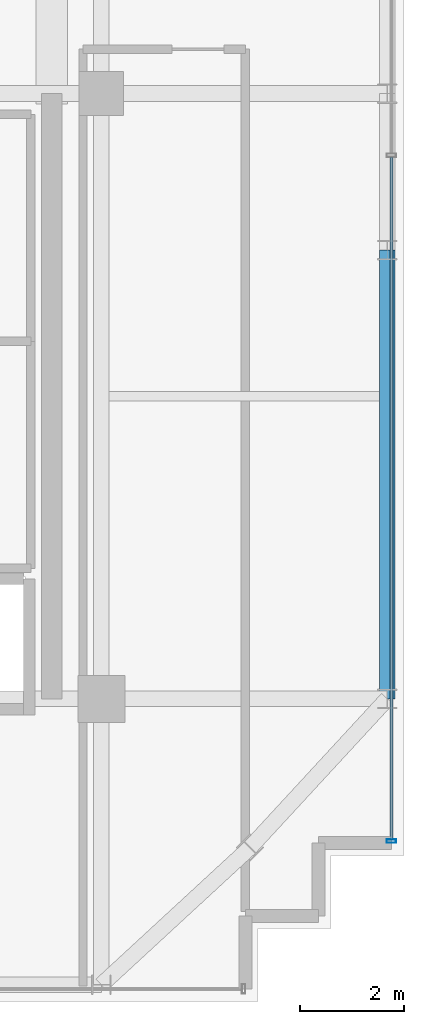
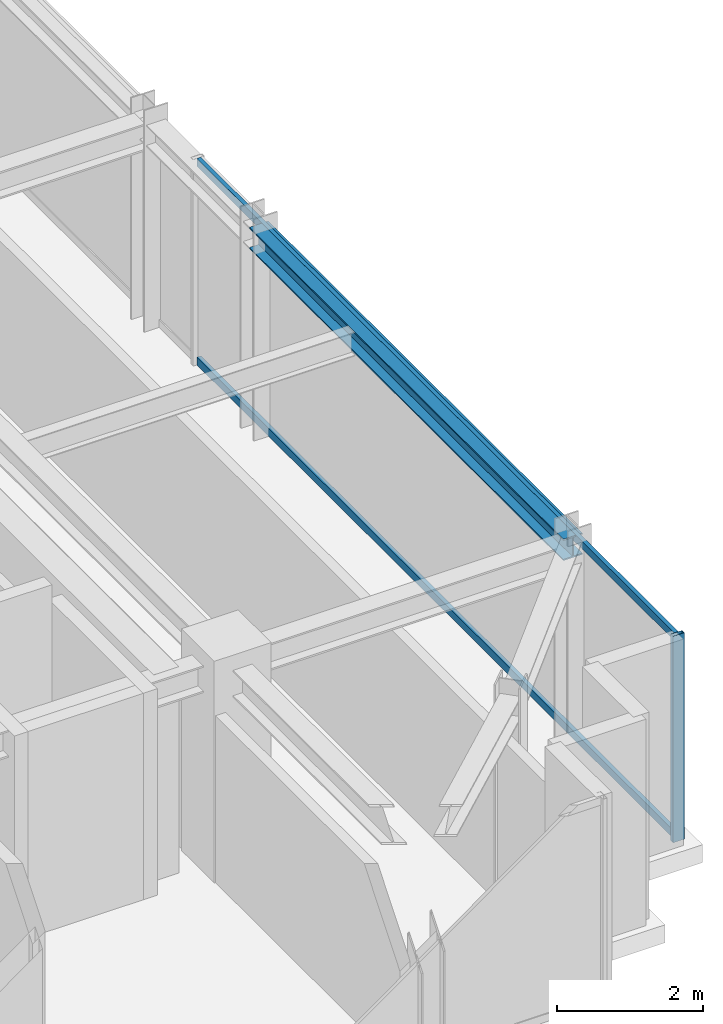
# One storey, part 14 of 31: 3 members, 1 beam, 1 element without a shape of its own.
"""IFC4 building model written with IfcOpenShell, lengths in metres."""

from ifc_helpers import new_model, si_unit, direction, frame, origin, origin_2d, place, context, subcontext, project, spatial, hollow_rectangle, i_section, extrude, source, transform, mapped, material, material_profile, profile_set, type_object, element, aggregate, save


model = new_model("IFC4")

# Units and contexts
model_context = context("Model", 3, precision=1e-05, world=origin(), true_north=direction((0.0, 1.0)))
body_context = subcontext(model_context, "Body", "Model", "MODEL_VIEW")
ifc_project = project(units=[si_unit("LENGTHUNIT", "METRE"), si_unit("AREAUNIT", "SQUARE_METRE"), si_unit("VOLUMEUNIT", "CUBIC_METRE"), si_unit("PLANEANGLEUNIT", "RADIAN"), si_unit("MASSUNIT", "GRAM", prefix="KILO")], contexts=[model_context])

# Site, building, storey
site_placement = place(None, origin())
site = spatial("IfcSite", under=ifc_project, at=site_placement, CompositionType="ELEMENT")
building_placement = place(site_placement, origin())
building = spatial("IfcBuilding", under=site, at=building_placement, Name="Nahalor Promenade Grand Hotel", CompositionType="ELEMENT")
storey_placement = place(building_placement, frame((0.0, 0.0, 277.550048828125)))
storey = spatial("IfcBuildingStorey", under=building, at=storey_placement, Name="L71", CompositionType="ELEMENT", Elevation=277.550048828125)

# Beam
ifc_material_1 = material(Name="Steel S355JR", Category="steel")
ifc_material_profile_1 = material_profile(ifc_material_1, i_section(OverallWidth=0.3, OverallDepth=0.36, WebThickness=0.0125, FlangeThickness=0.0225, at=origin_2d()), Name="HEB 360")
ifc_profile_set_1 = profile_set([ifc_material_profile_1], Name="Steel S355JR")
beam_type = type_object("IfcBeamType", Name="Beam-Spandrel-HEB360", PredefinedType="SPANDREL", material=ifc_profile_set_1)
shared_shape_1 = source(origin(), body_context, "Body", "SweptSolid", [
    extrude(i_section(OverallWidth=0.3, OverallDepth=0.36, WebThickness=0.0125, FlangeThickness=0.0225, at=origin_2d()), origin(), (0.0, 0.0, 1.0), 8.60009765625),
])
beam_placement = place(storey_placement, frame((22.47998046875, -17.0, 3.27001953125), z_axis=(0.0, 1.0, 0.0), x_axis=(-1.0, 0.0, 0.0)))
element("IfcBeam", 1, at=beam_placement, inside=storey, type_object=beam_type, Name="BM-L71-SP-E-0", PredefinedType="SPANDREL", context=body_context, shape_type="MappedRepresentation", body=[
    mapped(shared_shape_1, transform((0.0, 0.0, 0.0), scale=1.0)),
])

# Curtain wall, members
ifc_material_2 = material(Name="Anodised Bronze Aluminium EN AW-6063 T6", Category="aluminium")
curtain_wall_type = type_object("IfcCurtainWallType", Name="CW2 Typical Hotel Flush Bronze Unitised Curtain Wall", PredefinedType="USERDEFINED", material=ifc_material_2)
curtain_wall_placement = place(storey_placement, origin())
curtain_wall = element("IfcCurtainWall", 2, at=curtain_wall_placement, inside=storey, type_object=curtain_wall_type, Name="L71 Curtain Wall CW-L71-E-1", ObjectType="UNITISED_CURTAIN_WALL", PredefinedType="USERDEFINED")
ifc_material_profile_2 = material_profile(ifc_material_2, hollow_rectangle(XDim=0.065, YDim=0.13, WallThickness=0.004, at=origin_2d()), Name="CWT 65x130x4")
ifc_profile_set_2 = profile_set([ifc_material_profile_2], Name="Anodised Bronze Aluminium EN AW-6063 T6")
member_type_1 = type_object("IfcMemberType", Name="CWT2 Typical Bronze Transom 65x130", PredefinedType="USERDEFINED", material=ifc_profile_set_2)
shared_shape_2 = source(origin(), body_context, "Body", "SweptSolid", [
    extrude(hollow_rectangle(XDim=0.065, YDim=0.13, WallThickness=0.004, at=origin_2d()), origin(), (0.0, 0.0, 1.0), 13.075927734375),
])
member_1_placement = place(storey_placement, frame((22.56005859375, -19.695068359375, 0.06494140625), z_axis=(0.0, 1.0, 0.0), x_axis=(-1.0, 0.0, 0.0)))
member_1 = element("IfcMember", 3, at=member_1_placement, type_object=member_type_1, Name="CW-L71-E-1 Transom 0-0", ObjectType="TRANSOM", PredefinedType="USERDEFINED", context=body_context, shape_type="MappedRepresentation", body=[
    mapped(shared_shape_2, transform((0.0, 0.0, 0.0), scale=1.0)),
])
member_2_placement = place(storey_placement, frame((22.56005859375, -19.695068359375, 3.385009765625), z_axis=(0.0, 1.0, 0.0), x_axis=(-1.0, 0.0, 0.0)))
member_2 = element("IfcMember", 4, at=member_2_placement, type_object=member_type_1, Name="CW-L71-E-1 Transom 0-1", ObjectType="TRANSOM", PredefinedType="USERDEFINED", context=body_context, shape_type="MappedRepresentation", body=[
    mapped(shared_shape_2, transform((0.0, 0.0, 0.0), scale=1.0)),
])
ifc_material_profile_3 = material_profile(ifc_material_2, hollow_rectangle(XDim=0.065, YDim=0.18, WallThickness=0.004, at=origin_2d()), Name="CWM 65x180x4")
ifc_profile_set_3 = profile_set([ifc_material_profile_3], Name="Anodised Bronze Aluminium EN AW-6063 T6")
member_type_2 = type_object("IfcMemberType", Name="CWM2 Typical Bronze Mullion 65x180", PredefinedType="MULLION", material=ifc_profile_set_3)
shared_shape_3 = source(origin(), body_context, "Body", "SweptSolid", [
    extrude(hollow_rectangle(XDim=0.065, YDim=0.18, WallThickness=0.004, at=origin_2d()), origin(), (0.0, 0.0, 1.0), 3.449951171875),
])
member_3_placement = place(storey_placement, frame((22.56005859375, -19.7275390625, 0.0), z_axis=(0.0, 0.0, 1.0), x_axis=(0.0, 1.0, 0.0)))
member_3 = element("IfcMember", 5, at=member_3_placement, type_object=member_type_2, Name="CW-L71-E-1 Mullion 0", PredefinedType="MULLION", context=body_context, shape_type="MappedRepresentation", body=[
    mapped(shared_shape_3, transform((0.0, 0.0, 0.0), scale=1.0)),
])
aggregate(curtain_wall, [member_3, member_1, member_2])

save(model, "model.ifc")
